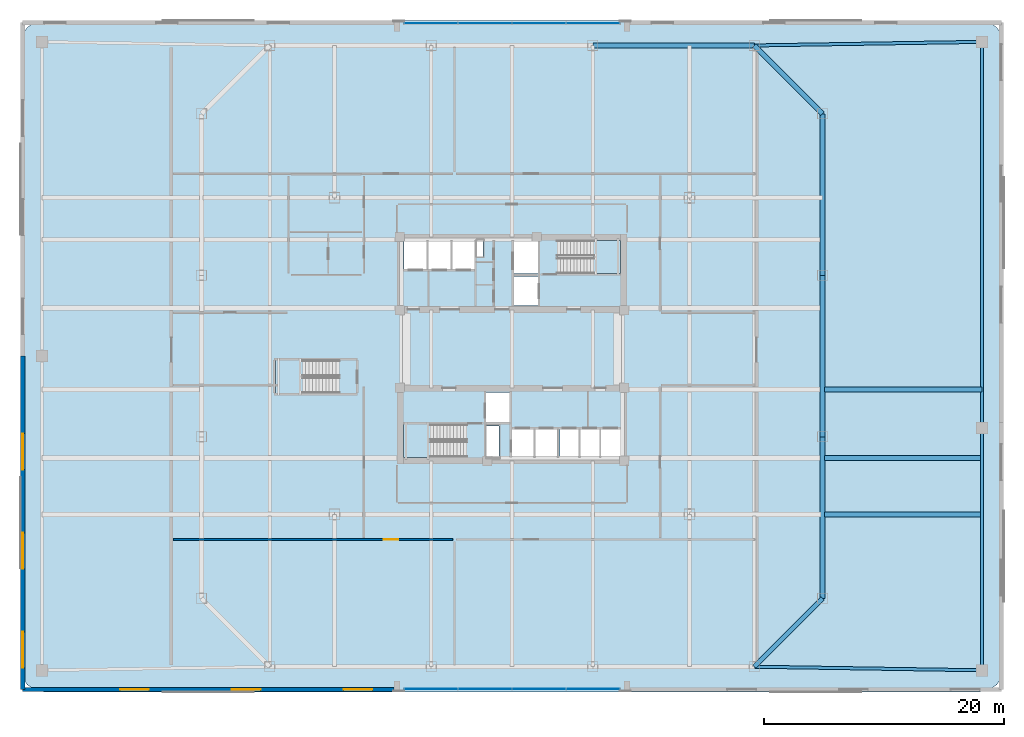
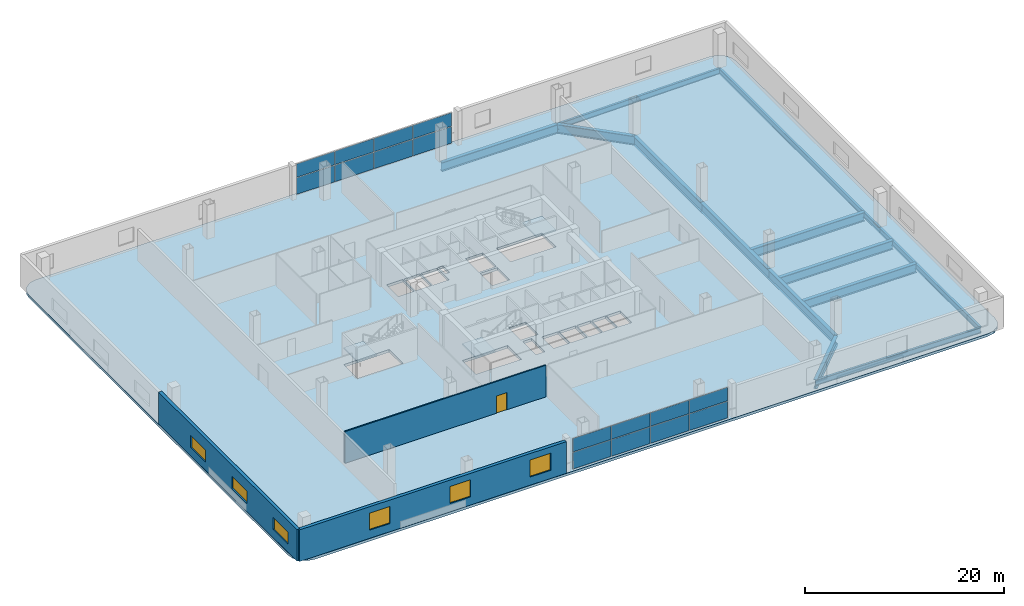
# One storey, part 11 of 21: 16 plates, 13 beams, 6 windows, 4 slabs, 3 walls, 1 door, 7 openings, 5 elements without a shape of their own.
"""IFC4 building model written with IfcOpenShell, lengths in metres."""

import ifcopenshell
import ifcopenshell.guid

model = None  # the IFC model being written
_history = None  # IfcOwnerHistory: only IFC2X3 demands one
_inside = {}  # id of a spatial element -> (the spatial element, [elements in it])
_under = {}  # id of a project, library or spatial element -> (it, [spatial elements below it])
_declared = {}  # id of a project -> (the project, [libraries it declares])
_typed = {}  # id of a type object -> (the type object, [elements of that type])
_made_of = {}  # id of a material, layer set ... -> (it, [elements and type objects made of it])


def new_model(schema):
    """Start an empty IFC model of exactly this schema.

    Asked for "IFC4X3", IfcOpenShell would pick the latest addendum, in which some entities
    have other attributes; the version numbers below select the first issue.
    IFC2X3 requires an IfcOwnerHistory on every rooted entity: one is made here for all.
    """
    global model, _history
    if schema == "IFC4X3":
        model = ifcopenshell.file(schema_version=(4, 3, 0, 0))
    else:
        model = ifcopenshell.file(schema=schema)
    _inside.clear()
    _under.clear()
    _declared.clear()
    _typed.clear()
    _made_of.clear()
    _history = None
    if model.schema == "IFC2X3":
        org = make("IfcOrganization", Name="unknown")
        user = make(
            "IfcPersonAndOrganization",
            ThePerson=make("IfcPerson", FamilyName="unknown"),
            TheOrganization=org,
        )
        app = make(
            "IfcApplication",
            ApplicationDeveloper=org,
            Version="unknown",
            ApplicationFullName="unknown",
            ApplicationIdentifier="unknown",
        )
        _history = make(
            "IfcOwnerHistory",
            OwningUser=user,
            OwningApplication=app,
            ChangeAction="ADDED",
            CreationDate=0,
        )
    return model


def make(cls, **values):
    """One entity of the class cls with the attributes given. An attribute that is None is left unset."""
    return model.create_entity(
        cls, **{name: value for name, value in values.items() if value is not None}
    )


def rooted(cls, **values):
    """An entity with a GlobalId (a new one), such as an element, a storey or a relation."""
    return make(cls, GlobalId=ifcopenshell.guid.new(), OwnerHistory=_history, **values)


def si_unit(unit_type, name, prefix=None):
    """IfcSIUnit, for example si_unit("LENGTHUNIT", "METRE", prefix="MILLI")."""
    return make("IfcSIUnit", UnitType=unit_type, Prefix=prefix, Name=name)


def assignment(units):
    """IfcUnitAssignment: the units of a project."""
    return None if units is None else make("IfcUnitAssignment", Units=units)


def point(xyz):
    """IfcCartesianPoint."""
    return None if xyz is None else make("IfcCartesianPoint", Coordinates=xyz)


def direction(xyz):
    """IfcDirection."""
    return None if xyz is None else make("IfcDirection", DirectionRatios=xyz)


def frame(location, z_axis=None, x_axis=None):
    """IfcAxis2Placement3D, a coordinate frame: its origin and axes. An axis left out is left unset."""
    return make(
        "IfcAxis2Placement3D",
        Location=point(location),
        Axis=direction(z_axis),
        RefDirection=direction(x_axis),
    )


def frame_2d(location, x_axis=None):
    """IfcAxis2Placement2D, a coordinate frame in the plane: its origin and x axis."""
    return make(
        "IfcAxis2Placement2D", Location=point(location), RefDirection=direction(x_axis)
    )


def origin():
    """The frame at (0, 0, 0) with its axes left unset."""
    return frame((0.0, 0.0, 0.0))


def origin_2d():
    """The frame at (0, 0) in the plane with its x axis left unset."""
    return frame_2d((0.0, 0.0))


def place(relative_to, where):
    """IfcLocalPlacement: puts the frame where relative to a parent placement (None: the world)."""
    return make(
        "IfcLocalPlacement", PlacementRelTo=relative_to, RelativePlacement=where
    )


def context(
    kind, dimensions, precision=None, world=None, true_north=None, identifier=None
):
    """IfcGeometricRepresentationContext, for example the 3D "Model" context."""
    return make(
        "IfcGeometricRepresentationContext",
        ContextIdentifier=identifier,
        ContextType=kind,
        CoordinateSpaceDimension=dimensions,
        Precision=precision,
        WorldCoordinateSystem=world,
        TrueNorth=true_north,
    )


def subcontext(parent, identifier, kind, view, scale=None):
    """IfcGeometricRepresentationSubContext, for example "Body" below "Model"."""
    return make(
        "IfcGeometricRepresentationSubContext",
        ContextIdentifier=identifier,
        ContextType=kind,
        ParentContext=parent,
        TargetScale=scale,
        TargetView=view,
    )


def project(units=None, contexts=None):
    """IfcProject with its units and contexts."""
    return rooted(
        "IfcProject",
        Name="project",
        RepresentationContexts=contexts,
        UnitsInContext=assignment(units),
    )


def spatial(cls, under=None, at=None, **own):
    """A site, building, storey or space (cls), placed at a placement, below another one or the project."""
    s = rooted(cls, ObjectPlacement=at, **own)
    if under is not None:
        _under.setdefault(under.id(), (under, []))[1].append(s)
    return s


def polyline(points):
    """IfcPolyline through the points."""
    return make("IfcPolyline", Points=[point(p) for p in points])


def profile(cls, at=None, kind="AREA", **sizes):
    """A parametric profile (cls). Its sizes go by their IFC names, for example OverallWidth=200.0."""
    return make(cls, ProfileType=kind, Position=at, **sizes)


def rectangle(**sizes):
    """IfcRectangleProfileDef."""
    return profile("IfcRectangleProfileDef", **sizes)


def i_section(**sizes):
    """IfcIShapeProfileDef."""
    return profile("IfcIShapeProfileDef", **sizes)


def outline(outer, holes=None, kind="AREA"):
    """IfcArbitraryClosedProfileDef: a profile drawn as a closed curve; with holes, ...WithVoids."""
    if holes is None:
        return make("IfcArbitraryClosedProfileDef", ProfileType=kind, OuterCurve=outer)
    return make(
        "IfcArbitraryProfileDefWithVoids",
        ProfileType=kind,
        OuterCurve=outer,
        InnerCurves=holes,
    )


def extrude(swept, where, along, depth):
    """IfcExtrudedAreaSolid: the profile swept, set in the frame where, extruded along a direction by depth."""
    return make(
        "IfcExtrudedAreaSolid",
        SweptArea=swept,
        Position=where,
        ExtrudedDirection=direction(along),
        Depth=depth,
    )


def shape(context_of_items, identifier, shape_type, items):
    """IfcShapeRepresentation: the items that make up one representation, for example the "Body"."""
    return make(
        "IfcShapeRepresentation",
        ContextOfItems=context_of_items,
        RepresentationIdentifier=identifier,
        RepresentationType=shape_type,
        Items=items,
    )


def material(Name=None, Category=None):
    """IfcMaterial."""
    return make("IfcMaterial", Name=Name, Category=Category)


def layer(
    of_material, thickness, ventilated=None, Name=None, Category=None, Priority=None
):
    """IfcMaterialLayer: one layer of a wall or slab, of a material (None: an air gap)."""
    return make(
        "IfcMaterialLayer",
        Material=of_material,
        LayerThickness=thickness,
        IsVentilated=ventilated,
        Name=Name,
        Category=Category,
        Priority=Priority,
    )


def layer_set(layers, Name=None):
    """IfcMaterialLayerSet."""
    return make("IfcMaterialLayerSet", MaterialLayers=layers, LayerSetName=Name)


def material_profile(
    of_material, cross_section, Name=None, Category=None, Priority=None
):
    """IfcMaterialProfile: a cross section and its material."""
    return make(
        "IfcMaterialProfile",
        Name=Name,
        Material=of_material,
        Profile=cross_section,
        Priority=Priority,
        Category=Category,
    )


def profile_set(profiles, Name=None, composite=None):
    """IfcMaterialProfileSet."""
    return make(
        "IfcMaterialProfileSet",
        Name=Name,
        MaterialProfiles=profiles,
        CompositeProfile=composite,
    )


def made_of(thing, what):
    """Note that an element or type object is made of a material, layer set ...; save() writes the relation."""
    if what is not None:
        _made_of.setdefault(what.id(), (what, []))[1].append(thing)
    return thing


def type_object(cls, material=None, **own):
    """A type object (cls), such as IfcWallType, which elements share."""
    return made_of(rooted(cls, **own), material)


def element(
    cls,
    number,
    at=None,
    inside=None,
    cuts=None,
    type_object=None,
    material=None,
    context=None,
    identifier="Body",
    shape_type=None,
    held_by="IfcProductDefinitionShape",
    body=None,
    shapes=None,
    **own,
):
    """One element of the class cls, such as IfcWall. Its Tag is "e" and its number.

    at: its placement. inside: the storey or other place that contains it. cuts: it is an
    opening in that element (IfcRelVoidsElement). A single representation is given by context,
    identifier, shape_type and body (its items); several are given by shapes. held_by: the class
    of the entity that holds the representations. save() writes the other relations.
    """
    e = rooted(cls, Tag="e%d" % number, ObjectPlacement=at, **own)
    if body is not None:
        shapes = [shape(context, identifier, shape_type, body)]
    if shapes is not None:
        e.Representation = make(held_by, Representations=shapes)
    if inside is not None:
        _inside.setdefault(inside.id(), (inside, []))[1].append(e)
    if cuts is not None:
        rooted(
            "IfcRelVoidsElement", RelatingBuildingElement=cuts, RelatedOpeningElement=e
        )
    if type_object is not None:
        _typed.setdefault(type_object.id(), (type_object, []))[1].append(e)
    return made_of(e, material)


def fill(opening, filler):
    """IfcRelFillsElement: the door or window that sits in an opening."""
    return rooted(
        "IfcRelFillsElement",
        RelatingOpeningElement=opening,
        RelatedBuildingElement=filler,
    )


def aggregate(whole, parts):
    """IfcRelAggregates: a whole, such as a stair, and the parts it consists of."""
    return rooted("IfcRelAggregates", RelatingObject=whole, RelatedObjects=parts)


def save(model, path):
    """Write the relations noted so far, then the file.

    IfcRelAggregates (storeys below a building ...), IfcRelContainedInSpatialStructure (elements
    in a storey), IfcRelDefinesByType, IfcRelAssociatesMaterial and IfcRelDeclares: one each for
    every whole, place, type object, material and project.
    """
    for whole, parts in _under.values():
        aggregate(whole, parts)
    for where, things in _inside.values():
        rooted(
            "IfcRelContainedInSpatialStructure",
            RelatedElements=things,
            RelatingStructure=where,
        )
    for kind, things in _typed.values():
        rooted("IfcRelDefinesByType", RelatedObjects=things, RelatingType=kind)
    for what, things in _made_of.values():
        rooted("IfcRelAssociatesMaterial", RelatedObjects=things, RelatingMaterial=what)
    for by, libraries in _declared.values():
        rooted("IfcRelDeclares", RelatingContext=by, RelatedDefinitions=libraries)
    model.write(path)


model = new_model("IFC4")

# Units and contexts
model_context = context("Model", 3, precision=1e-05, world=origin(), true_north=direction((0.0, 1.0)))
body_context = subcontext(model_context, "Body", "Model", "MODEL_VIEW")
ifc_project = project(units=[si_unit("LENGTHUNIT", "METRE"), si_unit("AREAUNIT", "SQUARE_METRE"), si_unit("VOLUMEUNIT", "CUBIC_METRE"), si_unit("PLANEANGLEUNIT", "RADIAN"), si_unit("MASSUNIT", "GRAM", prefix="KILO")], contexts=[model_context])

# Site, building, storey
site_placement = place(None, origin())
site = spatial("IfcSite", under=ifc_project, at=site_placement, CompositionType="ELEMENT")
building_placement = place(site_placement, origin())
building = spatial("IfcBuilding", under=site, at=building_placement, Name="Qhalaya Broadcast Tower", CompositionType="ELEMENT")
storey_placement = place(building_placement, frame((0.0, 0.0, 13.5)))
storey = spatial("IfcBuildingStorey", under=building, at=storey_placement, Name="L03", CompositionType="ELEMENT", Elevation=13.5)

# Beams
ifc_material_1 = material(Name="Structural Steel ASTM A992 Grade 50", Category="steel")
ifc_material_profile_1 = material_profile(ifc_material_1, i_section(OverallWidth=0.25390625, OverallDepth=0.68310546875, WebThickness=0.012451171875, FlangeThickness=0.01904296875, at=origin_2d()), Name="W27X94")
ifc_profile_set_1 = profile_set([ifc_material_profile_1], Name="Structural Steel ASTM A992 Grade 50")
beam_type_1 = type_object("IfcBeamType", Name="Perimeter Ring Spandrel Beam SP1", PredefinedType="SPANDREL", material=ifc_profile_set_1)
for number, where, z_axis, x_axis, name in (
    (1, (20.199951171875, -25.89990234375, -0.66162109375), (0.999875328998, -0.015790074776, 0.0), (0.015790074776, 0.999875328998, 0.0), "L03 SP1 L03-SP-S2"),
    (2, (20.199951171875, 25.89990234375, -0.66162109375), (0.999875328998, 0.015790074776, 0.0), (-0.015790074776, 0.999875328998, 0.0), "L03 SP1 L03-SP-N2"),
):
    element("IfcBeam", number, at=place(storey_placement, frame(where, z_axis=z_axis, x_axis=x_axis)), inside=storey, type_object=beam_type_1, Name=name, PredefinedType="SPANDREL", context=body_context, shape_type="SweptSolid", body=[
        extrude(i_section(OverallWidth=0.25390625, OverallDepth=0.68310546875, WebThickness=0.012451171875, FlangeThickness=0.01904296875, at=origin_2d()), origin(), (0.0, 0.0, 1.0), 19.00244140625),
    ])
beam_1_placement = place(storey_placement, frame((39.199951171875, -26.199951171875, -0.66162109375), z_axis=(0.0, 1.0, 0.0), x_axis=(-1.0, 0.0, 0.0)))
element("IfcBeam", 3, at=beam_1_placement, inside=storey, type_object=beam_type_1, Name="L03 SP1 L03-SP-E1", PredefinedType="SPANDREL", context=body_context, shape_type="SweptSolid", body=[
    extrude(i_section(OverallWidth=0.25390625, OverallDepth=0.68310546875, WebThickness=0.012451171875, FlangeThickness=0.01904296875, at=origin_2d()), origin(), (0.0, 0.0, 1.0), 20.199951171875),
])
beam_2_placement = place(storey_placement, frame((39.199951171875, -6.0, -0.66162109375), z_axis=(0.0, 1.0, 0.0), x_axis=(-1.0, 0.0, 0.0)))
element("IfcBeam", 4, at=beam_2_placement, inside=storey, type_object=beam_type_1, Name="L03 SP1 L03-SP-E2", PredefinedType="SPANDREL", context=body_context, shape_type="SweptSolid", body=[
    extrude(i_section(OverallWidth=0.25390625, OverallDepth=0.68310546875, WebThickness=0.012451171875, FlangeThickness=0.01904296875, at=origin_2d()), origin(), (0.0, 0.0, 1.0), 32.199951171875),
])
ifc_material_profile_2 = material_profile(ifc_material_1, i_section(OverallWidth=0.404052734375, OverallDepth=1.117919921875, WebThickness=0.026123046875, FlangeThickness=0.044921875, at=origin_2d()), Name="W44X335")
ifc_profile_set_2 = profile_set([ifc_material_profile_2], Name="Structural Steel ASTM A992 Grade 50")
beam_type_2 = type_object("IfcBeamType", Name="Podium Long-Span Primary Girder PG1", PredefinedType="USERDEFINED", material=ifc_profile_set_2)
beam_3_placement = place(storey_placement, frame((20.199951171875, -25.89990234375, -0.87890625), z_axis=(0.707106781187, 0.707106781187, 0.0), x_axis=(-0.707106781187, 0.707106781187, 0.0)))
element("IfcBeam", 5, at=beam_3_placement, inside=storey, type_object=beam_type_2, Name="L03 PG1 L03-PG-R04", ObjectType="GIRDER", PredefinedType="USERDEFINED", context=body_context, shape_type="SweptSolid", body=[
    extrude(i_section(OverallWidth=0.404052734375, OverallDepth=1.117919921875, WebThickness=0.026123046875, FlangeThickness=0.044921875, at=origin_2d()), origin(), (0.0, 0.0, 1.0), 8.06103515625),
])
beam_4_placement = place(storey_placement, frame((25.89990234375, -20.199951171875, -0.87890625), z_axis=(0.0, 1.0, 0.0), x_axis=(-1.0, 0.0, 0.0)))
element("IfcBeam", 6, at=beam_4_placement, inside=storey, type_object=beam_type_2, Name="L03 PG1 L03-PG-R05", ObjectType="GIRDER", PredefinedType="USERDEFINED", context=body_context, shape_type="SweptSolid", body=[
    extrude(i_section(OverallWidth=0.404052734375, OverallDepth=1.117919921875, WebThickness=0.026123046875, FlangeThickness=0.044921875, at=origin_2d()), origin(), (0.0, 0.0, 1.0), 13.466552734375),
])
beam_5_placement = place(storey_placement, frame((25.89990234375, -6.7333984375, -0.87890625), z_axis=(0.0, 1.0, 0.0), x_axis=(-1.0, 0.0, 0.0)))
element("IfcBeam", 7, at=beam_5_placement, inside=storey, type_object=beam_type_2, Name="L03 PG1 L03-PG-R06", ObjectType="GIRDER", PredefinedType="USERDEFINED", context=body_context, shape_type="SweptSolid", body=[
    extrude(i_section(OverallWidth=0.404052734375, OverallDepth=1.117919921875, WebThickness=0.026123046875, FlangeThickness=0.044921875, at=origin_2d()), origin(), (0.0, 0.0, 1.0), 13.466796875),
])
beam_6_placement = place(storey_placement, frame((25.89990234375, 6.7333984375, -0.87890625), z_axis=(0.0, 1.0, 0.0), x_axis=(-1.0, 0.0, 0.0)))
element("IfcBeam", 8, at=beam_6_placement, inside=storey, type_object=beam_type_2, Name="L03 PG1 L03-PG-R07", ObjectType="GIRDER", PredefinedType="USERDEFINED", context=body_context, shape_type="SweptSolid", body=[
    extrude(i_section(OverallWidth=0.404052734375, OverallDepth=1.117919921875, WebThickness=0.026123046875, FlangeThickness=0.044921875, at=origin_2d()), origin(), (0.0, 0.0, 1.0), 13.466552734375),
])
beam_7_placement = place(storey_placement, frame((25.89990234375, 20.199951171875, -0.87890625), z_axis=(-0.707106781187, 0.707106781187, 0.0), x_axis=(-0.707106781187, -0.707106781187, 0.0)))
element("IfcBeam", 9, at=beam_7_placement, inside=storey, type_object=beam_type_2, Name="L03 PG1 L03-PG-R08", ObjectType="GIRDER", PredefinedType="USERDEFINED", context=body_context, shape_type="SweptSolid", body=[
    extrude(i_section(OverallWidth=0.404052734375, OverallDepth=1.117919921875, WebThickness=0.026123046875, FlangeThickness=0.044921875, at=origin_2d()), origin(), (0.0, 0.0, 1.0), 8.06103515625),
])
beam_8_placement = place(storey_placement, frame((20.199951171875, 25.89990234375, -0.87890625), z_axis=(-1.0, 0.0, 0.0), x_axis=(0.0, -1.0, 0.0)))
element("IfcBeam", 10, at=beam_8_placement, inside=storey, type_object=beam_type_2, Name="L03 PG1 L03-PG-R09", ObjectType="GIRDER", PredefinedType="USERDEFINED", context=body_context, shape_type="SweptSolid", body=[
    extrude(i_section(OverallWidth=0.404052734375, OverallDepth=1.117919921875, WebThickness=0.026123046875, FlangeThickness=0.044921875, at=origin_2d()), origin(), (0.0, 0.0, 1.0), 13.466552734375),
])
for number, where, z_axis, x_axis, name in (
    (11, (26.0400390625, -13.199951171875, -0.87890625), (1.0, 0.0, 0.0), (0.0, 1.0, 0.0), "L03 PG1 L03-PG-GS5"),
    (12, (26.0400390625, -8.5, -0.87890625), (1.0, 0.0, 0.0), (0.0, 1.0, 0.0), "L03 PG1 L03-PG-E1B"),
    (13, (26.0400390625, -2.800048828125, -0.87890625), (1.0, 0.0, 0.0), (0.0, 1.0, 0.0), "L03 PG1 L03-PG-E2B"),
):
    element("IfcBeam", number, at=place(storey_placement, frame(where, z_axis=z_axis, x_axis=x_axis)), inside=storey, type_object=beam_type_2, Name=name, ObjectType="GIRDER", PredefinedType="USERDEFINED", context=body_context, shape_type="SweptSolid", body=[
        extrude(i_section(OverallWidth=0.404052734375, OverallDepth=1.117919921875, WebThickness=0.026123046875, FlangeThickness=0.044921875, at=origin_2d()), origin(), (0.0, 0.0, 1.0), 13.159912109375),
    ])

# Slab
ifc_material_2 = material(Name="Concrete C40/50", Category="concrete")
ifc_layer_1 = layer(ifc_material_2, 0.320068359375, Name="Concrete C40/50")
ifc_layer_set_1 = layer_set([ifc_layer_1], Name="Concrete C40/50")
slab_type_1 = type_object("IfcSlabType", Name="Podium Soundstage Box-in-Box Floor Slab 320", PredefinedType="FLOOR", material=ifc_layer_set_1)
slab_1_placement = place(storey_placement, frame((0.0, 0.0, -0.320068359375)))
element("IfcSlab", 14, at=slab_1_placement, inside=storey, type_object=slab_type_1, Name="L03 Main Structural Floor Slab", PredefinedType="FLOOR", context=body_context, shape_type="SweptSolid", body=[
    extrude(outline(polyline([(39.0, -28.0), (39.765380859375, -27.847900390625), (40.414306640625, -27.414306640625), (40.847900390625, -26.765380859375), (41.0, -26.0), (41.0, 26.0), (40.847900390625, 26.765380859375), (40.414306640625, 27.414306640625), (39.765380859375, 27.847900390625), (39.0, 28.0), (-39.0, 28.0), (-39.765380859375, 27.847900390625), (-40.414306640625, 27.414306640625), (-40.847900390625, 26.765380859375), (-41.0, 26.0), (-41.0, -26.0), (-40.847900390625, -26.765380859375), (-40.414306640625, -27.414306640625), (-39.765380859375, -27.847900390625), (-39.0, -28.0), (39.0, -28.0)]), holes=[polyline([(3.784912109375, 9.639892578125), (9.050048828125, 9.639892578125), (9.050048828125, 6.8798828125), (3.784912109375, 6.8798828125), (3.784912109375, 9.639892578125)]), polyline([(-3.784912109375, -8.43994140625), (-9.050048828125, -8.43994140625), (-9.050048828125, -5.679931640625), (-3.784912109375, -5.679931640625), (-3.784912109375, -8.43994140625)]), polyline([(-14.43505859375, -3.10009765625), (-19.699951171875, -3.10009765625), (-19.699951171875, -0.340087890625), (-14.43505859375, -0.340087890625), (-14.43505859375, -3.10009765625)]), polyline([(0.14990234375, 6.64990234375), (2.14990234375, 6.64990234375), (2.14990234375, 4.199951171875), (0.14990234375, 4.199951171875), (0.14990234375, 6.64990234375)]), polyline([(0.14990234375, 9.60009765625), (2.14990234375, 9.60009765625), (2.14990234375, 6.89990234375), (0.14990234375, 6.89990234375), (0.14990234375, 9.60009765625)]), polyline([(-2.14990234375, -3.050048828125), (-0.14990234375, -3.050048828125), (-0.14990234375, -5.5), (-2.14990234375, -5.5), (-2.14990234375, -3.050048828125)]), polyline([(-9.0, 9.60009765625), (-7.1201171875, 9.60009765625), (-7.1201171875, 7.25), (-9.0, 7.25), (-9.0, 9.60009765625)]), polyline([(-7.0, 9.60009765625), (-5.1201171875, 9.60009765625), (-5.1201171875, 7.25), (-7.0, 7.25), (-7.0, 9.60009765625)]), polyline([(-5.0, 9.60009765625), (-3.1201171875, 9.60009765625), (-3.1201171875, 7.25), (-5.0, 7.25), (-5.0, 9.60009765625)]), polyline([(-0.050048828125, -6.10009765625), (1.830078125, -6.10009765625), (1.830078125, -8.39990234375), (-0.050048828125, -8.39990234375), (-0.050048828125, -6.10009765625)]), polyline([(1.949951171875, -6.10009765625), (3.830078125, -6.10009765625), (3.830078125, -8.39990234375), (1.949951171875, -8.39990234375), (1.949951171875, -6.10009765625)]), polyline([(4.0, -6.10009765625), (5.60009765625, -6.10009765625), (5.60009765625, -8.39990234375), (4.0, -8.39990234375), (4.0, -6.10009765625)]), polyline([(5.719970703125, -6.10009765625), (7.320068359375, -6.10009765625), (7.320068359375, -8.39990234375), (5.719970703125, -8.39990234375), (5.719970703125, -6.10009765625)]), polyline([(7.43994140625, -6.10009765625), (9.0400390625, -6.10009765625), (9.0400390625, -8.39990234375), (7.43994140625, -8.39990234375), (7.43994140625, -6.10009765625)]), polyline([(-2.919921875, 9.659912109375), (-2.419921875, 9.659912109375), (-2.419921875, 8.320068359375), (-2.919921875, 8.320068359375), (-2.919921875, 9.659912109375)]), polyline([(-2.1201171875, -5.820068359375), (-1.080078125, -5.820068359375), (-1.080078125, -8.4599609375), (-2.1201171875, -8.4599609375), (-2.1201171875, -5.820068359375)])]), origin(), (0.0, 0.0, 1.0), 0.320068359375),
])

# Curtain wall, plates
ifc_material_3 = material(Name="Solar-Control Low-E Triple Glazing", Category="glass")
ifc_layer_2 = layer(ifc_material_3, 0.219970703125, Name="Solar-Control Low-E Triple Glazing")
ifc_layer_set_2 = layer_set([ifc_layer_2], Name="Solar-Control Low-E Triple Glazing")
curtain_wall_type = type_object("IfcCurtainWallType", Name="Podium Concourse Triple-Height Glazed Portal CW-01", PredefinedType="NOTDEFINED", material=ifc_layer_set_2)
curtain_wall_1_placement = place(storey_placement, origin())
curtain_wall_1 = element("IfcCurtainWall", 15, at=curtain_wall_1_placement, inside=storey, type_object=curtain_wall_type, Name="L03 Unitised Curtain Wall L03-CW01-S", PredefinedType="NOTDEFINED")
ifc_layer_3 = layer(ifc_material_3, 0.0380859375, Name="Solar-Control Low-E Triple Glazing")
ifc_layer_set_3 = layer_set([ifc_layer_3], Name="Solar-Control Low-E Triple Glazing")
plate_type = type_object("IfcPlateType", Name="Solar-Control Curtain Glazing Panel GLP-01", PredefinedType="CURTAIN_PANEL", material=ifc_layer_set_3)
plate_1_placement = place(storey_placement, frame((-6.768798828125, -27.75, 0.074951171875), z_axis=(0.0, 0.0, 1.0), x_axis=(1.0, 0.0, 0.0)))
plate_1 = element("IfcPlate", 16, at=plate_1_placement, type_object=plate_type, Name="CW-01 panel 1.1", PredefinedType="CURTAIN_PANEL", context=body_context, shape_type="SweptSolid", body=[
    extrude(rectangle(XDim=4.41259765625, YDim=0.0380859375, at=origin_2d()), origin(), (0.0, 0.0, 1.0), 2.021484375),
])
plate_2_placement = place(storey_placement, frame((-6.768798828125, -27.75, 2.17138671875), z_axis=(0.0, 0.0, 1.0), x_axis=(1.0, 0.0, 0.0)))
plate_2 = element("IfcPlate", 17, at=plate_2_placement, type_object=plate_type, Name="CW-01 panel 1.2", PredefinedType="CURTAIN_PANEL", context=body_context, shape_type="SweptSolid", body=[
    extrude(rectangle(XDim=4.41259765625, YDim=0.0380859375, at=origin_2d()), origin(), (0.0, 0.0, 1.0), 1.633544921875),
])
plate_3_placement = place(storey_placement, frame((-2.262451171875, -27.75, 0.074951171875), z_axis=(0.0, 0.0, 1.0), x_axis=(1.0, 0.0, 0.0)))
plate_3 = element("IfcPlate", 18, at=plate_3_placement, type_object=plate_type, Name="CW-01 panel 2.1", PredefinedType="CURTAIN_PANEL", context=body_context, shape_type="SweptSolid", body=[
    extrude(rectangle(XDim=4.449951171875, YDim=0.0380859375, at=origin_2d()), origin(), (0.0, 0.0, 1.0), 2.021484375),
])
plate_4_placement = place(storey_placement, frame((-2.262451171875, -27.75, 2.17138671875), z_axis=(0.0, 0.0, 1.0), x_axis=(1.0, 0.0, 0.0)))
plate_4 = element("IfcPlate", 19, at=plate_4_placement, type_object=plate_type, Name="CW-01 panel 2.2", PredefinedType="CURTAIN_PANEL", context=body_context, shape_type="SweptSolid", body=[
    extrude(rectangle(XDim=4.449951171875, YDim=0.0380859375, at=origin_2d()), origin(), (0.0, 0.0, 1.0), 1.633544921875),
])
plate_5_placement = place(storey_placement, frame((2.262451171875, -27.75, 0.074951171875), z_axis=(0.0, 0.0, 1.0), x_axis=(1.0, 0.0, 0.0)))
plate_5 = element("IfcPlate", 20, at=plate_5_placement, type_object=plate_type, Name="CW-01 panel 3.1", PredefinedType="CURTAIN_PANEL", context=body_context, shape_type="SweptSolid", body=[
    extrude(rectangle(XDim=4.449951171875, YDim=0.0380859375, at=origin_2d()), origin(), (0.0, 0.0, 1.0), 2.021484375),
])
plate_6_placement = place(storey_placement, frame((2.262451171875, -27.75, 2.17138671875), z_axis=(0.0, 0.0, 1.0), x_axis=(1.0, 0.0, 0.0)))
plate_6 = element("IfcPlate", 21, at=plate_6_placement, type_object=plate_type, Name="CW-01 panel 3.2", PredefinedType="CURTAIN_PANEL", context=body_context, shape_type="SweptSolid", body=[
    extrude(rectangle(XDim=4.449951171875, YDim=0.0380859375, at=origin_2d()), origin(), (0.0, 0.0, 1.0), 1.633544921875),
])
plate_7_placement = place(storey_placement, frame((6.768798828125, -27.75, 0.074951171875), z_axis=(0.0, 0.0, 1.0), x_axis=(1.0, 0.0, 0.0)))
plate_7 = element("IfcPlate", 22, at=plate_7_placement, type_object=plate_type, Name="CW-01 panel 4.1", PredefinedType="CURTAIN_PANEL", context=body_context, shape_type="SweptSolid", body=[
    extrude(rectangle(XDim=4.41259765625, YDim=0.0380859375, at=origin_2d()), origin(), (0.0, 0.0, 1.0), 2.021484375),
])
plate_8_placement = place(storey_placement, frame((6.768798828125, -27.75, 2.17138671875), z_axis=(0.0, 0.0, 1.0), x_axis=(1.0, 0.0, 0.0)))
plate_8 = element("IfcPlate", 23, at=plate_8_placement, type_object=plate_type, Name="CW-01 panel 4.2", PredefinedType="CURTAIN_PANEL", context=body_context, shape_type="SweptSolid", body=[
    extrude(rectangle(XDim=4.41259765625, YDim=0.0380859375, at=origin_2d()), origin(), (0.0, 0.0, 1.0), 1.633544921875),
])
aggregate(curtain_wall_1, [plate_1, plate_2, plate_3, plate_4, plate_5, plate_6, plate_7, plate_8])

curtain_wall_2_placement = place(storey_placement, origin())
curtain_wall_2 = element("IfcCurtainWall", 24, at=curtain_wall_2_placement, inside=storey, type_object=curtain_wall_type, Name="L03 Unitised Curtain Wall L03-CW01-N", PredefinedType="NOTDEFINED")
plate_9_placement = place(storey_placement, frame((6.768798828125, 27.75, 0.074951171875), z_axis=(0.0, 0.0, 1.0), x_axis=(-1.0, 0.0, 0.0)))
plate_9 = element("IfcPlate", 25, at=plate_9_placement, type_object=plate_type, Name="CW-01 panel 1.1", PredefinedType="CURTAIN_PANEL", context=body_context, shape_type="SweptSolid", body=[
    extrude(rectangle(XDim=4.41259765625, YDim=0.0380859375, at=origin_2d()), origin(), (0.0, 0.0, 1.0), 2.021484375),
])
plate_10_placement = place(storey_placement, frame((6.768798828125, 27.75, 2.17138671875), z_axis=(0.0, 0.0, 1.0), x_axis=(-1.0, 0.0, 0.0)))
plate_10 = element("IfcPlate", 26, at=plate_10_placement, type_object=plate_type, Name="CW-01 panel 1.2", PredefinedType="CURTAIN_PANEL", context=body_context, shape_type="SweptSolid", body=[
    extrude(rectangle(XDim=4.41259765625, YDim=0.0380859375, at=origin_2d()), origin(), (0.0, 0.0, 1.0), 1.633544921875),
])
plate_11_placement = place(storey_placement, frame((2.262451171875, 27.75, 0.074951171875), z_axis=(0.0, 0.0, 1.0), x_axis=(-1.0, 0.0, 0.0)))
plate_11 = element("IfcPlate", 27, at=plate_11_placement, type_object=plate_type, Name="CW-01 panel 2.1", PredefinedType="CURTAIN_PANEL", context=body_context, shape_type="SweptSolid", body=[
    extrude(rectangle(XDim=4.449951171875, YDim=0.0380859375, at=origin_2d()), origin(), (0.0, 0.0, 1.0), 2.021484375),
])
plate_12_placement = place(storey_placement, frame((2.262451171875, 27.75, 2.17138671875), z_axis=(0.0, 0.0, 1.0), x_axis=(-1.0, 0.0, 0.0)))
plate_12 = element("IfcPlate", 28, at=plate_12_placement, type_object=plate_type, Name="CW-01 panel 2.2", PredefinedType="CURTAIN_PANEL", context=body_context, shape_type="SweptSolid", body=[
    extrude(rectangle(XDim=4.449951171875, YDim=0.0380859375, at=origin_2d()), origin(), (0.0, 0.0, 1.0), 1.633544921875),
])
plate_13_placement = place(storey_placement, frame((-2.262451171875, 27.75, 0.074951171875), z_axis=(0.0, 0.0, 1.0), x_axis=(-1.0, 0.0, 0.0)))
plate_13 = element("IfcPlate", 29, at=plate_13_placement, type_object=plate_type, Name="CW-01 panel 3.1", PredefinedType="CURTAIN_PANEL", context=body_context, shape_type="SweptSolid", body=[
    extrude(rectangle(XDim=4.449951171875, YDim=0.0380859375, at=origin_2d()), origin(), (0.0, 0.0, 1.0), 2.021484375),
])
plate_14_placement = place(storey_placement, frame((-2.262451171875, 27.75, 2.17138671875), z_axis=(0.0, 0.0, 1.0), x_axis=(-1.0, 0.0, 0.0)))
plate_14 = element("IfcPlate", 30, at=plate_14_placement, type_object=plate_type, Name="CW-01 panel 3.2", PredefinedType="CURTAIN_PANEL", context=body_context, shape_type="SweptSolid", body=[
    extrude(rectangle(XDim=4.449951171875, YDim=0.0380859375, at=origin_2d()), origin(), (0.0, 0.0, 1.0), 1.633544921875),
])
plate_15_placement = place(storey_placement, frame((-6.768798828125, 27.75, 0.074951171875), z_axis=(0.0, 0.0, 1.0), x_axis=(-1.0, 0.0, 0.0)))
plate_15 = element("IfcPlate", 31, at=plate_15_placement, type_object=plate_type, Name="CW-01 panel 4.1", PredefinedType="CURTAIN_PANEL", context=body_context, shape_type="SweptSolid", body=[
    extrude(rectangle(XDim=4.41259765625, YDim=0.0380859375, at=origin_2d()), origin(), (0.0, 0.0, 1.0), 2.021484375),
])
plate_16_placement = place(storey_placement, frame((-6.768798828125, 27.75, 2.17138671875), z_axis=(0.0, 0.0, 1.0), x_axis=(-1.0, 0.0, 0.0)))
plate_16 = element("IfcPlate", 32, at=plate_16_placement, type_object=plate_type, Name="CW-01 panel 4.2", PredefinedType="CURTAIN_PANEL", context=body_context, shape_type="SweptSolid", body=[
    extrude(rectangle(XDim=4.41259765625, YDim=0.0380859375, at=origin_2d()), origin(), (0.0, 0.0, 1.0), 1.633544921875),
])
aggregate(curtain_wall_2, [plate_9, plate_10, plate_11, plate_12, plate_13, plate_14, plate_15, plate_16])

# Stair, slab
stair_type = type_object("IfcStairType", Name="Protected Dogleg Core Stair 4200", PredefinedType="TWO_STRAIGHT_RUN_STAIR", material=ifc_material_2)
stair_1_placement = place(storey_placement, origin())
stair_1 = element("IfcStair", 33, at=stair_1_placement, inside=storey, type_object=stair_type, Name="L03 North Core Exit Stair ST-1", PredefinedType="TWO_STRAIGHT_RUN_STAIR")
ifc_layer_4 = layer(ifc_material_2, 0.199951171875, Name="Concrete C40/50")
ifc_layer_set_4 = layer_set([ifc_layer_4], Name="Concrete C40/50")
slab_type_2 = type_object("IfcSlabType", Name="Stair & Ramp Half-Landing Slab 200", PredefinedType="LANDING", material=ifc_layer_set_4)
slab_2_placement = place(storey_placement, frame((0.0, 0.0, 1.89990234375)))
slab_2 = element("IfcSlab", 34, at=slab_2_placement, type_object=slab_type_2, Name="ST-1 landing 1", PredefinedType="LANDING", context=body_context, shape_type="SweptSolid", body=[
    extrude(outline(polyline([(6.794921875, 6.8798828125), (9.050048828125, 6.8798828125), (9.050048828125, 9.639892578125), (6.794921875, 9.639892578125), (6.794921875, 6.8798828125)])), origin(), (0.0, 0.0, 1.0), 0.2001953125),
])
aggregate(stair_1, [slab_2])

stair_2_placement = place(storey_placement, origin())
stair_2 = element("IfcStair", 35, at=stair_2_placement, inside=storey, type_object=stair_type, Name="L03 South Core Exit Stair ST-2", PredefinedType="TWO_STRAIGHT_RUN_STAIR")
slab_3_placement = place(storey_placement, frame((0.0, 0.0, 1.89990234375)))
slab_3 = element("IfcSlab", 36, at=slab_3_placement, type_object=slab_type_2, Name="ST-2 landing 1", PredefinedType="LANDING", context=body_context, shape_type="SweptSolid", body=[
    extrude(outline(polyline([(-6.794921875, -5.679931640625), (-9.050048828125, -5.679931640625), (-9.050048828125, -8.43994140625), (-6.794921875, -8.43994140625), (-6.794921875, -5.679931640625)])), origin(), (0.0, 0.0, 1.0), 0.2001953125),
])
aggregate(stair_2, [slab_3])

stair_3_placement = place(storey_placement, origin())
stair_3 = element("IfcStair", 37, at=stair_3_placement, inside=storey, type_object=stair_type, Name="L03 Podium West Escape Stair ST-P1", PredefinedType="TWO_STRAIGHT_RUN_STAIR")
slab_4_placement = place(storey_placement, frame((0.0, 0.0, 1.89990234375)))
slab_4 = element("IfcSlab", 38, at=slab_4_placement, type_object=slab_type_2, Name="ST-P1 landing 1", PredefinedType="LANDING", context=body_context, shape_type="SweptSolid", body=[
    extrude(outline(polyline([(-17.445068359375, -0.340087890625), (-19.699951171875, -0.340087890625), (-19.699951171875, -3.10009765625), (-17.445068359375, -3.10009765625), (-17.445068359375, -0.340087890625)])), origin(), (0.0, 0.0, 1.0), 0.2001953125),
])
aggregate(stair_3, [slab_4])

# Wall, opening, door
ifc_material_4 = material(Name="Gypsum Acoustic Partition")
ifc_layer_5 = layer(ifc_material_4, 0.14990234375, Name="Gypsum Acoustic Partition")
ifc_layer_set_5 = layer_set([ifc_layer_5], Name="Gypsum Acoustic Partition")
wall_type_1 = type_object("IfcWallType", Name="Corridor & Tenancy Acoustic Partition 150", PredefinedType="PARTITIONING", material=ifc_layer_set_5)
wall_1_placement = place(storey_placement, frame((-28.239990234375, -15.300048828125, 0.0), z_axis=(0.0, 0.0, 1.0), x_axis=(1.0, 0.0, 0.0)))
wall_1 = element("IfcWall", 39, at=wall_1_placement, inside=storey, type_object=wall_type_1, Name="L03 Partition Wall W-STS1L", PredefinedType="PARTITIONING", context=body_context, shape_type="SweptSolid", body=[
    extrude(rectangle(XDim=23.280029296875, YDim=0.14990234375, at=frame_2d((11.64013671875, 0.0))), origin(), (0.0, 0.0, 1.0), 3.8798828125),
])
opening_1_placement = place(wall_1_placement, frame((17.55810546875, 0.0, 0.0)))
opening_1 = element("IfcOpeningElement", 40, at=opening_1_placement, cuts=wall_1, Name="Opening D11", PredefinedType="OPENING", context=body_context, shape_type="SweptSolid", body=[
    extrude(rectangle(XDim=1.199951171875, YDim=2.10009765625, at=frame_2d((0.60009765625, 1.050048828125))), frame((0.0, 0.0869140625, 0.0), z_axis=(0.0, -1.0, 0.0), x_axis=(1.0, 0.0, 0.0)), (0.0, 0.0, 1.0), 0.173828125),
])
ifc_material_5 = material(Name="Anodised Aluminium Glazed Door", Category="aluminium")
door_type = type_object("IfcDoorType", Name="Conference, Boardroom & Studio Control Door D11", OperationType="NOTDEFINED", PredefinedType="DOOR", material=ifc_material_5)
door_placement = place(opening_1_placement, origin())
door = element("IfcDoor", 41, at=door_placement, inside=storey, type_object=door_type, Name="L03 Door D-STS1", OperationType="SINGLE_SWING_RIGHT", OverallHeight=2.10009765625, OverallWidth=1.199951171875, PredefinedType="DOOR", context=body_context, shape_type="SweptSolid", body=[
    extrude(rectangle(XDim=1.199951171875, YDim=2.10009765625, at=frame_2d((0.60009765625, 1.050048828125))), frame((0.0, 0.02490234375, 0.0), z_axis=(0.0, -1.0, 0.0), x_axis=(1.0, 0.0, 0.0)), (0.0, 0.0, 1.0), 0.050048828125),
])
fill(opening_1, door)

# Wall, openings, windows
ifc_material_6 = material(Name="Precast Concrete C40/50", Category="concrete")
ifc_layer_6 = layer(ifc_material_6, 0.360107421875, Name="Precast Concrete C40/50")
ifc_layer_set_6 = layer_set([ifc_layer_6], Name="Precast Concrete C40/50")
wall_type_2 = type_object("IfcWallType", Name="Insulated Precast Terracotta Exterior Wall 360", PredefinedType="SOLIDWALL", material=ifc_layer_set_6)
wall_2_placement = place(storey_placement, frame((-9.840087890625, -27.800048828125, 0.0), z_axis=(0.0, 0.0, 1.0), x_axis=(-1.0, 0.0, 0.0)))
wall_2 = element("IfcWall", 42, at=wall_2_placement, inside=storey, type_object=wall_type_2, Name="L03 Podium Exterior Terracotta Wall EW-SW", PredefinedType="SOLIDWALL", context=body_context, shape_type="SweptSolid", body=[
    extrude(rectangle(XDim=30.9599609375, YDim=0.360107421875, at=frame_2d((15.47998046875, 0.0))), origin(), (0.0, 0.0, 1.0), 3.8798828125),
])
opening_2_placement = place(wall_2_placement, frame((1.800048828125, 0.0, 1.0)))
opening_2 = element("IfcOpeningElement", 43, at=opening_2_placement, cuts=wall_2, Name="Opening W01", PredefinedType="OPENING", context=body_context, shape_type="SweptSolid", body=[
    extrude(rectangle(XDim=2.39990234375, YDim=2.10009765625, at=frame_2d((1.199951171875, 1.050048828125))), frame((0.0, 0.192138671875, 0.0), z_axis=(0.0, -1.0, 0.0), x_axis=(1.0, 0.0, 0.0)), (0.0, 0.0, 1.0), 0.384033203125),
])
opening_3_placement = place(wall_2_placement, frame((11.1201171875, 0.0, 1.0)))
opening_3 = element("IfcOpeningElement", 44, at=opening_3_placement, cuts=wall_2, Name="Opening W01", PredefinedType="OPENING", context=body_context, shape_type="SweptSolid", body=[
    extrude(rectangle(XDim=2.39990234375, YDim=2.10009765625, at=frame_2d((1.199951171875, 1.050048828125))), frame((0.0, 0.192138671875, 0.0), z_axis=(0.0, -1.0, 0.0), x_axis=(1.0, 0.0, 0.0)), (0.0, 0.0, 1.0), 0.384033203125),
])
opening_4_placement = place(wall_2_placement, frame((20.43994140625, 0.0, 1.0)))
opening_4 = element("IfcOpeningElement", 45, at=opening_4_placement, cuts=wall_2, Name="Opening W01", PredefinedType="OPENING", context=body_context, shape_type="SweptSolid", body=[
    extrude(rectangle(XDim=2.39990234375, YDim=2.10009765625, at=frame_2d((1.199951171875, 1.050048828125))), frame((0.0, 0.192138671875, 0.0), z_axis=(0.0, -1.0, 0.0), x_axis=(1.0, 0.0, 0.0)), (0.0, 0.0, 1.0), 0.384033203125),
])
window_type_1 = type_object("IfcWindowType", Name="Podium Broadcast Studio Acoustic Window W01", PartitioningType="SINGLE_PANEL", PredefinedType="WINDOW", material=ifc_material_3)
window_1_placement = place(opening_2_placement, origin())
window_1 = element("IfcWindow", 46, at=window_1_placement, inside=storey, type_object=window_type_1, Name="L03 Facade Window W01-1", OverallHeight=2.10009765625, OverallWidth=2.39990234375, PartitioningType="SINGLE_PANEL", PredefinedType="WINDOW", context=body_context, shape_type="SweptSolid", body=[
    extrude(rectangle(XDim=2.39990234375, YDim=2.10009765625, at=frame_2d((1.199951171875, 1.050048828125))), frame((0.0, 0.030029296875, 0.0), z_axis=(0.0, -1.0, 0.0), x_axis=(1.0, 0.0, 0.0)), (0.0, 0.0, 1.0), 0.06005859375),
])
fill(opening_2, window_1)
window_2_placement = place(opening_3_placement, origin())
window_2 = element("IfcWindow", 47, at=window_2_placement, inside=storey, type_object=window_type_1, Name="L03 Facade Window W01-2", OverallHeight=2.10009765625, OverallWidth=2.39990234375, PartitioningType="SINGLE_PANEL", PredefinedType="WINDOW", context=body_context, shape_type="SweptSolid", body=[
    extrude(rectangle(XDim=2.39990234375, YDim=2.10009765625, at=frame_2d((1.199951171875, 1.050048828125))), frame((0.0, 0.030029296875, 0.0), z_axis=(0.0, -1.0, 0.0), x_axis=(1.0, 0.0, 0.0)), (0.0, 0.0, 1.0), 0.06005859375),
])
fill(opening_3, window_2)
window_3_placement = place(opening_4_placement, origin())
window_3 = element("IfcWindow", 48, at=window_3_placement, inside=storey, type_object=window_type_1, Name="L03 Facade Window W01-3", OverallHeight=2.10009765625, OverallWidth=2.39990234375, PartitioningType="SINGLE_PANEL", PredefinedType="WINDOW", context=body_context, shape_type="SweptSolid", body=[
    extrude(rectangle(XDim=2.39990234375, YDim=2.10009765625, at=frame_2d((1.199951171875, 1.050048828125))), frame((0.0, 0.030029296875, 0.0), z_axis=(0.0, -1.0, 0.0), x_axis=(1.0, 0.0, 0.0)), (0.0, 0.0, 1.0), 0.06005859375),
])
fill(opening_4, window_3)

wall_3_placement = place(storey_placement, frame((-40.800048828125, -27.800048828125, 0.0), z_axis=(0.0, 0.0, 1.0), x_axis=(0.0, 1.0, 0.0)))
wall_3 = element("IfcWall", 49, at=wall_3_placement, inside=storey, type_object=wall_type_2, Name="L03 Podium Exterior Terracotta Wall EW-WS", PredefinedType="SOLIDWALL", context=body_context, shape_type="SweptSolid", body=[
    extrude(rectangle(XDim=27.800048828125, YDim=0.360107421875, at=frame_2d((13.89990234375, 0.0))), origin(), (0.0, 0.0, 1.0), 3.8798828125),
])
opening_5_placement = place(wall_3_placement, frame((1.800048828125, 0.0, 1.0)))
opening_5 = element("IfcOpeningElement", 50, at=opening_5_placement, cuts=wall_3, Name="Opening W03", PredefinedType="OPENING", context=body_context, shape_type="SweptSolid", body=[
    extrude(rectangle(XDim=3.0, YDim=1.5, at=frame_2d((1.5, 0.75))), frame((0.0, 0.192138671875, 0.0), z_axis=(0.0, -1.0, 0.0), x_axis=(1.0, 0.0, 0.0)), (0.0, 0.0, 1.0), 0.384033203125),
])
opening_6_placement = place(wall_3_placement, frame((10.06689453125, 0.0, 1.0)))
opening_6 = element("IfcOpeningElement", 51, at=opening_6_placement, cuts=wall_3, Name="Opening W03", PredefinedType="OPENING", context=body_context, shape_type="SweptSolid", body=[
    extrude(rectangle(XDim=3.0, YDim=1.5, at=frame_2d((1.5, 0.75))), frame((0.0, 0.192138671875, 0.0), z_axis=(0.0, -1.0, 0.0), x_axis=(1.0, 0.0, 0.0)), (0.0, 0.0, 1.0), 0.384033203125),
])
opening_7_placement = place(wall_3_placement, frame((18.3330078125, 0.0, 1.0)))
opening_7 = element("IfcOpeningElement", 52, at=opening_7_placement, cuts=wall_3, Name="Opening W03", PredefinedType="OPENING", context=body_context, shape_type="SweptSolid", body=[
    extrude(rectangle(XDim=3.0, YDim=1.5, at=frame_2d((1.5, 0.75))), frame((0.0, 0.192138671875, 0.0), z_axis=(0.0, -1.0, 0.0), x_axis=(1.0, 0.0, 0.0)), (0.0, 0.0, 1.0), 0.384033203125),
])
window_type_2 = type_object("IfcWindowType", Name="Podium Concourse Clerestory Window W03", PartitioningType="SINGLE_PANEL", PredefinedType="WINDOW", material=ifc_material_3)
window_4_placement = place(opening_5_placement, origin())
window_4 = element("IfcWindow", 53, at=window_4_placement, inside=storey, type_object=window_type_2, Name="L03 Facade Window W03-1", OverallHeight=1.5, OverallWidth=3.0, PartitioningType="SINGLE_PANEL", PredefinedType="WINDOW", context=body_context, shape_type="SweptSolid", body=[
    extrude(rectangle(XDim=3.0, YDim=1.5, at=frame_2d((1.5, 0.75))), frame((0.0, 0.030029296875, 0.0), z_axis=(0.0, -1.0, 0.0), x_axis=(1.0, 0.0, 0.0)), (0.0, 0.0, 1.0), 0.06005859375),
])
fill(opening_5, window_4)
window_5_placement = place(opening_6_placement, origin())
window_5 = element("IfcWindow", 54, at=window_5_placement, inside=storey, type_object=window_type_2, Name="L03 Facade Window W03-2", OverallHeight=1.5, OverallWidth=3.0, PartitioningType="SINGLE_PANEL", PredefinedType="WINDOW", context=body_context, shape_type="SweptSolid", body=[
    extrude(rectangle(XDim=3.0, YDim=1.5, at=frame_2d((1.5, 0.75))), frame((0.0, 0.030029296875, 0.0), z_axis=(0.0, -1.0, 0.0), x_axis=(1.0, 0.0, 0.0)), (0.0, 0.0, 1.0), 0.06005859375),
])
fill(opening_6, window_5)
window_6_placement = place(opening_7_placement, origin())
window_6 = element("IfcWindow", 55, at=window_6_placement, inside=storey, type_object=window_type_2, Name="L03 Facade Window W03-3", OverallHeight=1.5, OverallWidth=3.0, PartitioningType="SINGLE_PANEL", PredefinedType="WINDOW", context=body_context, shape_type="SweptSolid", body=[
    extrude(rectangle(XDim=3.0, YDim=1.5, at=frame_2d((1.5, 0.75))), frame((0.0, 0.030029296875, 0.0), z_axis=(0.0, -1.0, 0.0), x_axis=(1.0, 0.0, 0.0)), (0.0, 0.0, 1.0), 0.06005859375),
])
fill(opening_7, window_6)

save(model, "model.ifc")
